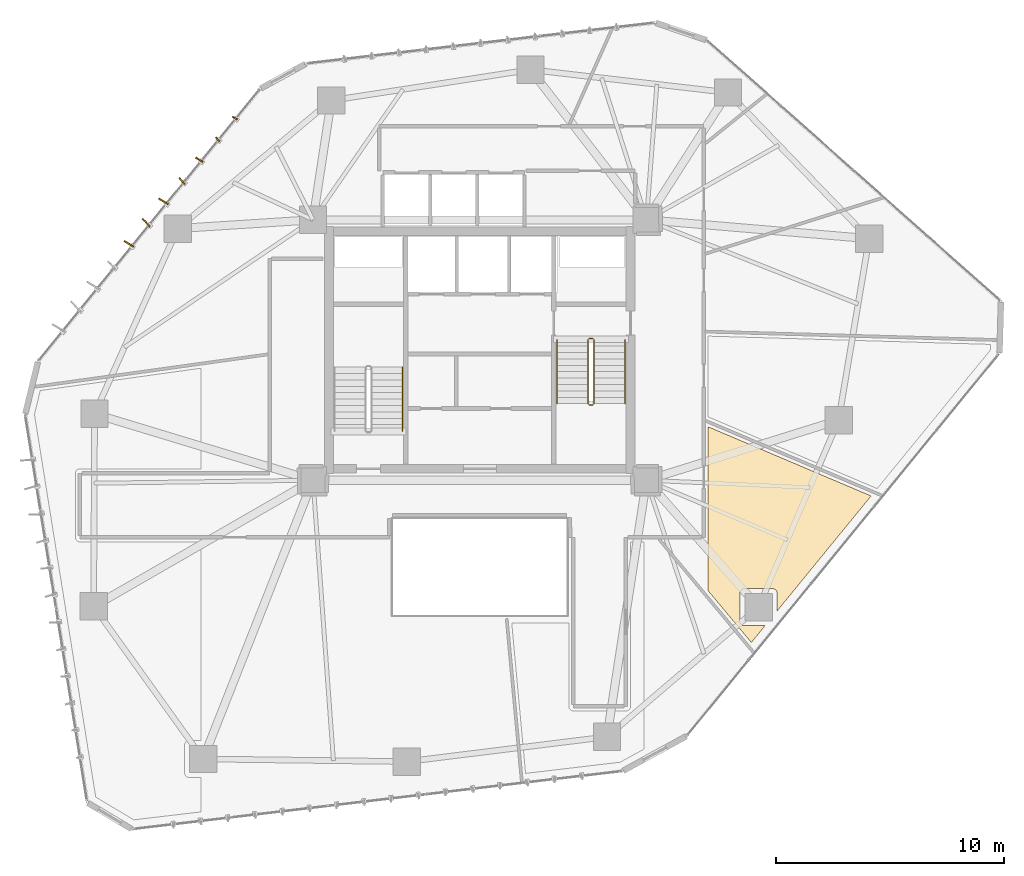
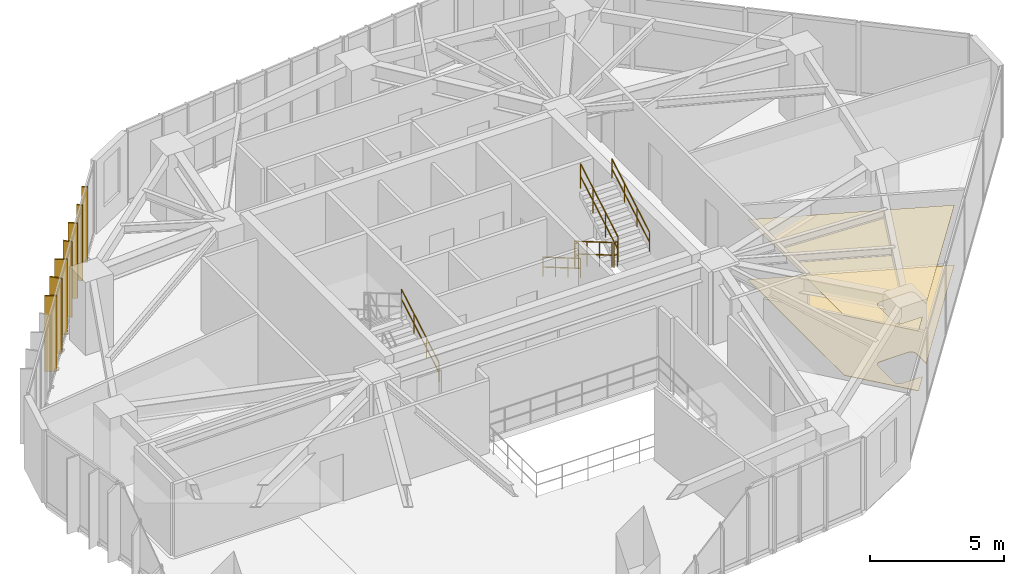
# One storey, part 23 of 24: 7 railings, 7 shading devices, 2 coverings.
"""IFC4 building model written with IfcOpenShell, lengths in metres."""

from ifc_helpers import new_model, si_unit, direction, frame, origin, origin_2d, place, context, subcontext, project, spatial, polyline, rectangle, circle, outline, extrude, source, transform, mapped, material, layer, layer_set, type_object, type_shapes, element, save


model = new_model("IFC4")

# Units and contexts
model_context = context("Model", 3, precision=1e-05, world=origin(), true_north=direction((0.0, 1.0)))
body_context = subcontext(model_context, "Body", "Model", "MODEL_VIEW")
ifc_project = project(units=[si_unit("LENGTHUNIT", "METRE"), si_unit("AREAUNIT", "SQUARE_METRE"), si_unit("VOLUMEUNIT", "CUBIC_METRE"), si_unit("PLANEANGLEUNIT", "RADIAN"), si_unit("MASSUNIT", "GRAM", prefix="KILO")], contexts=[model_context])

# Site, building, storey
site_placement = place(None, origin())
site = spatial("IfcSite", under=ifc_project, at=site_placement, CompositionType="ELEMENT")
building_placement = place(site_placement, origin())
building = spatial("IfcBuilding", under=site, at=building_placement, Name="Talar Marvaseh", CompositionType="ELEMENT")
storey_placement = place(building_placement, frame((0.0, 0.0, 111.0)))
storey = spatial("IfcBuildingStorey", under=building, at=storey_placement, Name="L28", CompositionType="ELEMENT", Elevation=111.0)

# Railings
ifc_material_1 = material(Name="Stainless Steel Grade 316", Category="steel")
railing_type_1 = type_object("IfcRailingType", Name="Brushed Stainless Wall Pitch Handrail 900", PredefinedType="HANDRAIL", material=ifc_material_1)
railing_1_placement = place(storey_placement, frame((22.610107421875, 27.64990234375, 0.16357421875)))
element("IfcRailing", 1, at=railing_1_placement, inside=storey, type_object=railing_type_1, Name="L28 ST-1 stair handrail 1", PredefinedType="HANDRAIL", context=body_context, shape_type="SweptSolid", body=[
    extrude(circle(Radius=0.02392578125, at=origin_2d()), frame((0.0, 0.0, 0.8759765625), z_axis=(0.0, 0.863360870873, 0.504586966384), x_axis=(-1.0, 0.0, 0.0)), (0.0, 0.0, 1.0), 3.2431640625),
    extrude(circle(Radius=0.02392578125, at=origin_2d()), frame((0.0, 0.0, 0.42578125), z_axis=(0.0, 0.863360870873, 0.504586966384), x_axis=(-1.0, 0.0, 0.0)), (0.0, 0.0, 1.0), 3.2431640625),
    extrude(circle(Radius=0.02099609375, at=origin_2d()), origin(), (0.0, 0.0, 1.0), 0.851806640625),
    extrude(circle(Radius=0.02099609375, at=origin_2d()), frame((0.0, 0.933349609375, 0.54541015625)), (0.0, 0.0, 1.0), 0.851806640625),
    extrude(circle(Radius=0.02099609375, at=origin_2d()), frame((0.0, 1.86669921875, 1.091064453125)), (0.0, 0.0, 1.0), 0.851806640625),
    extrude(circle(Radius=0.02099609375, at=origin_2d()), frame((0.0, 2.800048828125, 1.636474609375)), (0.0, 0.0, 1.0), 0.851806640625),
])
railing_2_placement = place(storey_placement, frame((29.389892578125, 31.64990234375, 0.16357421875)))
element("IfcRailing", 2, at=railing_2_placement, inside=storey, type_object=railing_type_1, Name="L28 ST-2 stair handrail 1", PredefinedType="HANDRAIL", context=body_context, shape_type="SweptSolid", body=[
    extrude(circle(Radius=0.02392578125, at=origin_2d()), frame((0.0, 0.0, 0.8759765625), z_axis=(0.0, -0.863341702679, 0.504619762213), x_axis=(1.0, 0.0, 0.0)), (0.0, 0.0, 1.0), 3.242919921875),
    extrude(circle(Radius=0.02392578125, at=origin_2d()), frame((0.0, 0.0, 0.42578125), z_axis=(0.0, -0.863341702679, 0.504619762213), x_axis=(1.0, 0.0, 0.0)), (0.0, 0.0, 1.0), 3.242919921875),
    extrude(circle(Radius=0.02099609375, at=origin_2d()), origin(), (0.0, 0.0, 1.0), 0.851806640625),
    extrude(circle(Radius=0.02099609375, at=origin_2d()), frame((0.0, -0.933349609375, 0.54541015625)), (0.0, 0.0, 1.0), 0.851806640625),
    extrude(circle(Radius=0.02099609375, at=origin_2d()), frame((0.0, -1.866455078125, 1.091064453125)), (0.0, 0.0, 1.0), 0.851806640625),
    extrude(circle(Radius=0.02099609375, at=origin_2d()), frame((0.0, -2.7998046875, 1.636474609375)), (0.0, 0.0, 1.0), 0.851806640625),
])
railing_3_placement = place(storey_placement, frame((32.35009765625, 28.85009765625, 1.963623046875)))
element("IfcRailing", 3, at=railing_3_placement, inside=storey, type_object=railing_type_1, Name="L28 ST-2 stair handrail 2", PredefinedType="HANDRAIL", context=body_context, shape_type="SweptSolid", body=[
    extrude(circle(Radius=0.02392578125, at=origin_2d()), frame((0.0, 0.0, 0.8759765625), z_axis=(0.0, 0.863341702679, 0.504619762213), x_axis=(-1.0, 0.0, 0.0)), (0.0, 0.0, 1.0), 3.242919921875),
    extrude(circle(Radius=0.02392578125, at=origin_2d()), frame((0.0, 0.0, 0.42578125), z_axis=(0.0, 0.863341702679, 0.504619762213), x_axis=(-1.0, 0.0, 0.0)), (0.0, 0.0, 1.0), 3.242919921875),
    extrude(circle(Radius=0.02099609375, at=origin_2d()), origin(), (0.0, 0.0, 1.0), 0.851806640625),
    extrude(circle(Radius=0.02099609375, at=origin_2d()), frame((0.0, 0.933349609375, 0.54541015625)), (0.0, 0.0, 1.0), 0.851806640625),
    extrude(circle(Radius=0.02099609375, at=origin_2d()), frame((0.0, 1.866455078125, 1.091064453125)), (0.0, 0.0, 1.0), 0.851806640625),
    extrude(circle(Radius=0.02099609375, at=origin_2d()), frame((0.0, 2.7998046875, 1.636474609375)), (0.0, 0.0, 1.0), 0.851806640625),
])
railing_type_2 = type_object("IfcRailingType", Name="Painted Steel Core Stair Well Guardrail 1150", PredefinedType="GUARDRAIL", material=ifc_material_1)
railing_4_placement = place(storey_placement, frame((30.739990234375, 31.64990234375, 0.16357421875)))
element("IfcRailing", 4, at=railing_4_placement, inside=storey, type_object=railing_type_2, Name="L28 ST-2 stair guard 1", PredefinedType="GUARDRAIL", context=body_context, shape_type="SweptSolid", body=[
    extrude(circle(Radius=0.02392578125, at=origin_2d()), frame((0.0, 0.0, 1.1259765625), z_axis=(0.0, -0.863341702679, 0.504619762213), x_axis=(1.0, 0.0, 0.0)), (0.0, 0.0, 1.0), 3.242919921875),
    extrude(circle(Radius=0.02392578125, at=origin_2d()), frame((0.0, 0.0, 0.55078125), z_axis=(0.0, -0.863341702679, 0.504619762213), x_axis=(1.0, 0.0, 0.0)), (0.0, 0.0, 1.0), 3.242919921875),
    extrude(circle(Radius=0.02099609375, at=origin_2d()), origin(), (0.0, 0.0, 1.0), 1.101806640625),
    extrude(circle(Radius=0.02099609375, at=origin_2d()), frame((0.0, -0.933349609375, 0.54541015625)), (0.0, 0.0, 1.0), 1.101806640625),
    extrude(circle(Radius=0.02099609375, at=origin_2d()), frame((0.0, -1.866455078125, 1.091064453125)), (0.0, 0.0, 1.0), 1.101806640625),
    extrude(circle(Radius=0.02099609375, at=origin_2d()), frame((0.0, -2.7998046875, 1.636474609375)), (0.0, 0.0, 1.0), 1.101806640625),
])
railing_5_placement = place(storey_placement, frame((30.7900390625, 28.800048828125, 1.800048828125)))
element("IfcRailing", 5, at=railing_5_placement, inside=storey, type_object=railing_type_2, Name="L28 ST-2 stair guard 2", PredefinedType="GUARDRAIL", context=body_context, shape_type="SweptSolid", body=[
    extrude(circle(Radius=0.02392578125, at=origin_2d()), frame((0.0, 0.0, 1.1259765625), z_axis=(1.0, 0.0, 0.0), x_axis=(0.0, 1.0, 0.0)), (0.0, 0.0, 1.0), 0.159912109375),
    extrude(circle(Radius=0.02392578125, at=origin_2d()), frame((0.0, 0.0, 0.55078125), z_axis=(1.0, 0.0, 0.0), x_axis=(0.0, 1.0, 0.0)), (0.0, 0.0, 1.0), 0.159912109375),
    extrude(circle(Radius=0.02099609375, at=origin_2d()), origin(), (0.0, 0.0, 1.0), 1.101806640625),
    extrude(circle(Radius=0.02099609375, at=origin_2d()), frame((0.159912109375, 0.0, 0.0)), (0.0, 0.0, 1.0), 1.101806640625),
])
railing_6_placement = place(storey_placement, frame((31.0, 28.85009765625, 1.963623046875)))
element("IfcRailing", 6, at=railing_6_placement, inside=storey, type_object=railing_type_2, Name="L28 ST-2 stair guard 3", PredefinedType="GUARDRAIL", context=body_context, shape_type="SweptSolid", body=[
    extrude(circle(Radius=0.02392578125, at=origin_2d()), frame((0.0, 0.0, 1.1259765625), z_axis=(0.0, 0.863341702679, 0.504619762213), x_axis=(-1.0, 0.0, 0.0)), (0.0, 0.0, 1.0), 3.242919921875),
    extrude(circle(Radius=0.02392578125, at=origin_2d()), frame((0.0, 0.0, 0.55078125), z_axis=(0.0, 0.863341702679, 0.504619762213), x_axis=(-1.0, 0.0, 0.0)), (0.0, 0.0, 1.0), 3.242919921875),
    extrude(circle(Radius=0.02099609375, at=origin_2d()), origin(), (0.0, 0.0, 1.0), 1.101806640625),
    extrude(circle(Radius=0.02099609375, at=origin_2d()), frame((0.0, 0.933349609375, 0.54541015625)), (0.0, 0.0, 1.0), 1.101806640625),
    extrude(circle(Radius=0.02099609375, at=origin_2d()), frame((0.0, 1.866455078125, 1.091064453125)), (0.0, 0.0, 1.0), 1.101806640625),
    extrude(circle(Radius=0.02099609375, at=origin_2d()), frame((0.0, 2.7998046875, 1.636474609375)), (0.0, 0.0, 1.0), 1.101806640625),
])
railing_7_placement = place(storey_placement, frame((30.7900390625, 31.699951171875, 0.0)))
element("IfcRailing", 7, at=railing_7_placement, inside=storey, type_object=railing_type_2, Name="L28 ST-2 stair guard 4", PredefinedType="GUARDRAIL", context=body_context, shape_type="SweptSolid", body=[
    extrude(circle(Radius=0.02392578125, at=origin_2d()), frame((0.0, 0.0, 1.1259765625), z_axis=(1.0, 0.0, 0.0), x_axis=(0.0, 1.0, 0.0)), (0.0, 0.0, 1.0), 0.159912109375),
    extrude(circle(Radius=0.02392578125, at=origin_2d()), frame((0.0, 0.0, 0.55078125), z_axis=(1.0, 0.0, 0.0), x_axis=(0.0, 1.0, 0.0)), (0.0, 0.0, 1.0), 0.159912109375),
    extrude(circle(Radius=0.02099609375, at=origin_2d()), origin(), (0.0, 0.0, 1.0), 1.101806640625),
    extrude(circle(Radius=0.02099609375, at=origin_2d()), frame((0.159912109375, 0.0, 0.0)), (0.0, 0.0, 1.0), 1.101806640625),
])

# Coverings
ifc_material_2 = material(Name="Mineral Fibre Acoustic Ceiling")
ifc_layer_1 = layer(ifc_material_2, 0.02490234375)
ifc_layer_set_1 = layer_set([ifc_layer_1], Name="Mineral Fibre Acoustic Ceiling")
covering_type_1 = type_object("IfcCoveringType", Name="Perforated Mineral Fibre Acoustic Suspended Ceiling", PredefinedType="CEILING", material=ifc_layer_set_1)
covering_1_placement = place(storey_placement, frame((0.0, 0.0, 2.719970703125)))
element("IfcCovering", 8, at=covering_1_placement, inside=storey, type_object=covering_type_1, Name="L28 Archival Research Office Acoustic Ceiling", PredefinedType="CEILING", context=body_context, shape_type="SweptSolid", body=[
    extrude(outline(polyline([(43.132568359375, 24.81201171875), (39.018310546875, 19.77783203125), (39.02099609375, 20.541748046875), (39.02001953125, 20.560302734375), (39.017578125, 20.578857421875), (39.01318359375, 20.596923828125), (39.00732421875, 20.614501953125), (39.0, 20.631591796875), (38.990966796875, 20.64794921875), (38.980224609375, 20.663330078125), (38.968505859375, 20.677490234375), (38.955078125, 20.690673828125), (38.940185546875, 20.7041015625), (38.926025390625, 20.716064453125), (38.91064453125, 20.726318359375), (38.89453125, 20.7353515625), (38.877685546875, 20.74267578125), (38.860107421875, 20.74853515625), (38.842041015625, 20.752685546875), (38.82373046875, 20.755126953125), (38.805419921875, 20.756103515625), (37.5947265625, 20.751708984375), (37.5751953125, 20.75048828125), (37.555908203125, 20.74755859375), (37.536865234375, 20.742919921875), (37.518310546875, 20.736083984375), (37.500732421875, 20.727783203125), (37.48388671875, 20.717529296875), (37.46826171875, 20.705810546875), (37.45361328125, 20.69287109375), (37.440673828125, 20.67822265625), (37.428955078125, 20.66259765625), (37.4189453125, 20.645751953125), (37.41064453125, 20.6279296875), (37.404052734375, 20.609619140625), (37.399169921875, 20.590576171875), (37.396484375, 20.5712890625), (37.3955078125, 20.551513671875), (37.3955078125, 19.330322265625), (37.396484375, 19.310791015625), (37.399169921875, 19.29150390625), (37.404052734375, 19.272216796875), (37.41064453125, 19.25390625), (37.4189453125, 19.236083984375), (37.42919921875, 19.21923828125), (37.44091796875, 19.20361328125), (37.4541015625, 19.18896484375), (37.468505859375, 19.17578125), (37.484375, 19.1640625), (37.501220703125, 19.154052734375), (37.518798828125, 19.1455078125), (37.537353515625, 19.138916015625), (37.556396484375, 19.13427734375), (37.57568359375, 19.13134765625), (37.595458984375, 19.13037109375), (38.489013671875, 19.13037109375), (37.8896484375, 18.397216796875), (36.0, 20.65625), (36.0, 23.0), (36.0, 27.839111328125), (43.132568359375, 24.81201171875)])), origin(), (0.0, 0.0, 1.0), 0.025146484375),
])
ifc_material_3 = material(Name="Porcelain Stoneware Tile", Category="masonry")
ifc_layer_2 = layer(ifc_material_3, 0.02001953125)
ifc_layer_set_2 = layer_set([ifc_layer_2], Name="Porcelain Stoneware Tile")
covering_type_2 = type_object("IfcCoveringType", Name="Polished Porcelain Stoneware Gallery Flooring", PredefinedType="FLOORING", material=ifc_layer_set_2)
covering_2_placement = place(storey_placement, origin())
element("IfcCovering", 9, at=covering_2_placement, inside=storey, type_object=covering_type_2, Name="L28 Archival Research Office Flooring", PredefinedType="FLOORING", context=body_context, shape_type="SweptSolid", body=[
    extrude(outline(polyline([(43.132568359375, 24.81201171875), (39.018310546875, 19.77783203125), (39.02099609375, 20.541748046875), (39.02001953125, 20.560302734375), (39.017578125, 20.578857421875), (39.01318359375, 20.596923828125), (39.00732421875, 20.614501953125), (39.0, 20.631591796875), (38.990966796875, 20.64794921875), (38.980224609375, 20.663330078125), (38.968505859375, 20.677490234375), (38.955078125, 20.690673828125), (38.940185546875, 20.7041015625), (38.926025390625, 20.716064453125), (38.91064453125, 20.726318359375), (38.89453125, 20.7353515625), (38.877685546875, 20.74267578125), (38.860107421875, 20.74853515625), (38.842041015625, 20.752685546875), (38.82373046875, 20.755126953125), (38.805419921875, 20.756103515625), (37.5947265625, 20.751708984375), (37.5751953125, 20.75048828125), (37.555908203125, 20.74755859375), (37.536865234375, 20.742919921875), (37.518310546875, 20.736083984375), (37.500732421875, 20.727783203125), (37.48388671875, 20.717529296875), (37.46826171875, 20.705810546875), (37.45361328125, 20.69287109375), (37.440673828125, 20.67822265625), (37.428955078125, 20.66259765625), (37.4189453125, 20.645751953125), (37.41064453125, 20.6279296875), (37.404052734375, 20.609619140625), (37.399169921875, 20.590576171875), (37.396484375, 20.5712890625), (37.3955078125, 20.551513671875), (37.3955078125, 19.330322265625), (37.396484375, 19.310791015625), (37.399169921875, 19.29150390625), (37.404052734375, 19.272216796875), (37.41064453125, 19.25390625), (37.4189453125, 19.236083984375), (37.42919921875, 19.21923828125), (37.44091796875, 19.20361328125), (37.4541015625, 19.18896484375), (37.468505859375, 19.17578125), (37.484375, 19.1640625), (37.501220703125, 19.154052734375), (37.518798828125, 19.1455078125), (37.537353515625, 19.138916015625), (37.556396484375, 19.13427734375), (37.57568359375, 19.13134765625), (37.595458984375, 19.13037109375), (38.489013671875, 19.13037109375), (37.8896484375, 18.397216796875), (36.0, 20.65625), (36.0, 23.0), (36.0, 27.839111328125), (43.132568359375, 24.81201171875)])), origin(), (0.0, 0.0, 1.0), 0.02001953125),
])

# Shading devices
ifc_material_4 = material(Name="Anodised Champagne Bronze Aluminium", Category="aluminium")
ifc_layer_3 = layer(ifc_material_4, 0.06494140625)
ifc_layer_set_3 = layer_set([ifc_layer_3], Name="Anodised Champagne Bronze Aluminium")
shading_device_type_1 = type_object("IfcShadingDeviceType", Name="Sawtooth Champagne Bronze Vertical Fin 240", PredefinedType="USERDEFINED", material=ifc_layer_set_3)
shared_shape_1 = source(origin(), body_context, "Body", "SweptSolid", [
    extrude(rectangle(XDim=0.239990234375, YDim=0.06494140625, at=origin_2d()), origin(), (0.0, 0.0, 1.0), 3.429931640625),
])
type_shapes(shading_device_type_1, [shared_shape_1])
for number, where, z_axis, x_axis, name in (
    (10, (14.52587890625, 40.420654296875, -0.1201171875), (0.0, 0.0, 1.0), (-0.679697382902, 0.73349265005, 0.0), "L28 Sawtooth Vertical Solar Fin"),
    (11, (15.283935546875, 41.350830078125, -0.1201171875), (0.0, 0.0, 1.0), (-0.855545033584, 0.517728399366, 0.0), "L28 Sawtooth Vertical Solar Fin"),
):
    element("IfcShadingDevice", number, at=place(storey_placement, frame(where, z_axis=z_axis, x_axis=x_axis)), inside=storey, type_object=shading_device_type_1, Name=name, ObjectType="FIN", PredefinedType="USERDEFINED", context=body_context, shape_type="MappedRepresentation", body=[
        mapped(shared_shape_1, transform((0.0, 0.0, 0.0), x_axis=(1.0, 0.0, 0.0), y_axis=(0.0, 1.0, 0.0), z_axis=(0.0, 0.0, 1.0), scale=1.0)),
    ])
ifc_layer_4 = layer(ifc_material_4, 0.06494140625)
ifc_layer_set_4 = layer_set([ifc_layer_4], Name="Anodised Champagne Bronze Aluminium")
shading_device_type_2 = type_object("IfcShadingDeviceType", Name="Sawtooth Champagne Bronze Vertical Fin 360", PredefinedType="USERDEFINED", material=ifc_layer_set_4)
shared_shape_2 = source(origin(), body_context, "Body", "SweptSolid", [
    extrude(rectangle(XDim=0.360107421875, YDim=0.06494140625, at=origin_2d()), origin(), (0.0, 0.0, 1.0), 3.429931640625),
])
type_shapes(shading_device_type_2, [shared_shape_2])
for number, where, z_axis, x_axis, name in (
    (12, (12.963134765625, 38.598388671875, -0.1201171875), (0.0, 0.0, 1.0), (-0.679697382902, 0.73349265005, 0.0), "L28 Sawtooth Vertical Solar Fin"),
    (13, (13.72119140625, 39.528564453125, -0.1201171875), (0.0, 0.0, 1.0), (-0.855545033584, 0.517728399366, 0.0), "L28 Sawtooth Vertical Solar Fin"),
):
    element("IfcShadingDevice", number, at=place(storey_placement, frame(where, z_axis=z_axis, x_axis=x_axis)), inside=storey, type_object=shading_device_type_2, Name=name, ObjectType="FIN", PredefinedType="USERDEFINED", context=body_context, shape_type="MappedRepresentation", body=[
        mapped(shared_shape_2, transform((0.0, 0.0, 0.0), x_axis=(1.0, 0.0, 0.0), y_axis=(0.0, 1.0, 0.0), z_axis=(0.0, 0.0, 1.0), scale=1.0)),
    ])
ifc_layer_5 = layer(ifc_material_4, 0.06494140625)
ifc_layer_set_5 = layer_set([ifc_layer_5], Name="Anodised Champagne Bronze Aluminium")
shading_device_type_3 = type_object("IfcShadingDeviceType", Name="Sawtooth Champagne Bronze Vertical Fin 480", PredefinedType="USERDEFINED", material=ifc_layer_set_5)
shared_shape_3 = source(origin(), body_context, "Body", "SweptSolid", [
    extrude(rectangle(XDim=0.47998046875, YDim=0.06494140625, at=origin_2d()), origin(), (0.0, 0.0, 1.0), 3.429931640625),
])
type_shapes(shading_device_type_3, [shared_shape_3])
for number, where, z_axis, x_axis, name in (
    (14, (10.64208984375, 35.845703125, -0.1201171875), (0.0, 0.0, 1.0), (-0.855545033584, 0.517728399366, 0.0), "L28 Sawtooth Vertical Solar Fin"),
    (15, (11.400390625, 36.77587890625, -0.1201171875), (0.0, 0.0, 1.0), (-0.679697382902, 0.73349265005, 0.0), "L28 Sawtooth Vertical Solar Fin"),
    (16, (12.158447265625, 37.7060546875, -0.1201171875), (0.0, 0.0, 1.0), (-0.855545033584, 0.517728399366, 0.0), "L28 Sawtooth Vertical Solar Fin"),
):
    element("IfcShadingDevice", number, at=place(storey_placement, frame(where, z_axis=z_axis, x_axis=x_axis)), inside=storey, type_object=shading_device_type_3, Name=name, ObjectType="FIN", PredefinedType="USERDEFINED", context=body_context, shape_type="MappedRepresentation", body=[
        mapped(shared_shape_3, transform((0.0, 0.0, 0.0), x_axis=(1.0, 0.0, 0.0), y_axis=(0.0, 1.0, 0.0), z_axis=(0.0, 0.0, 1.0), scale=1.0)),
    ])

save(model, "model.ifc")
